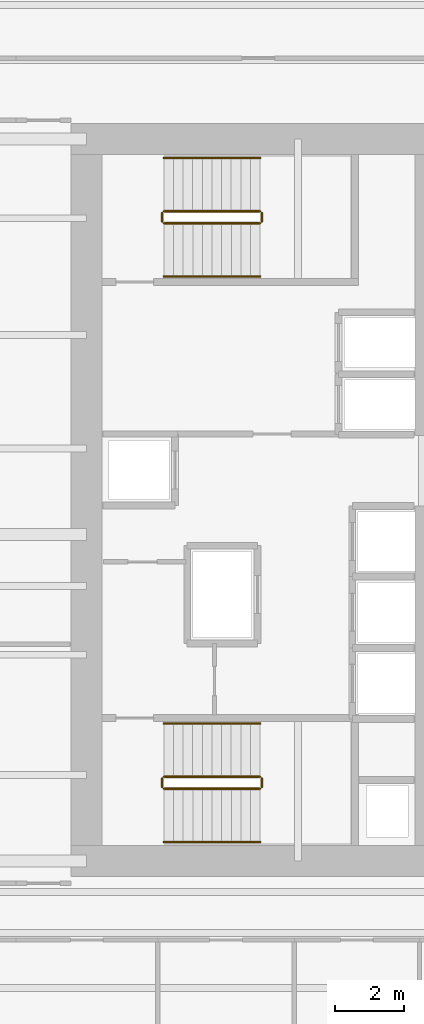
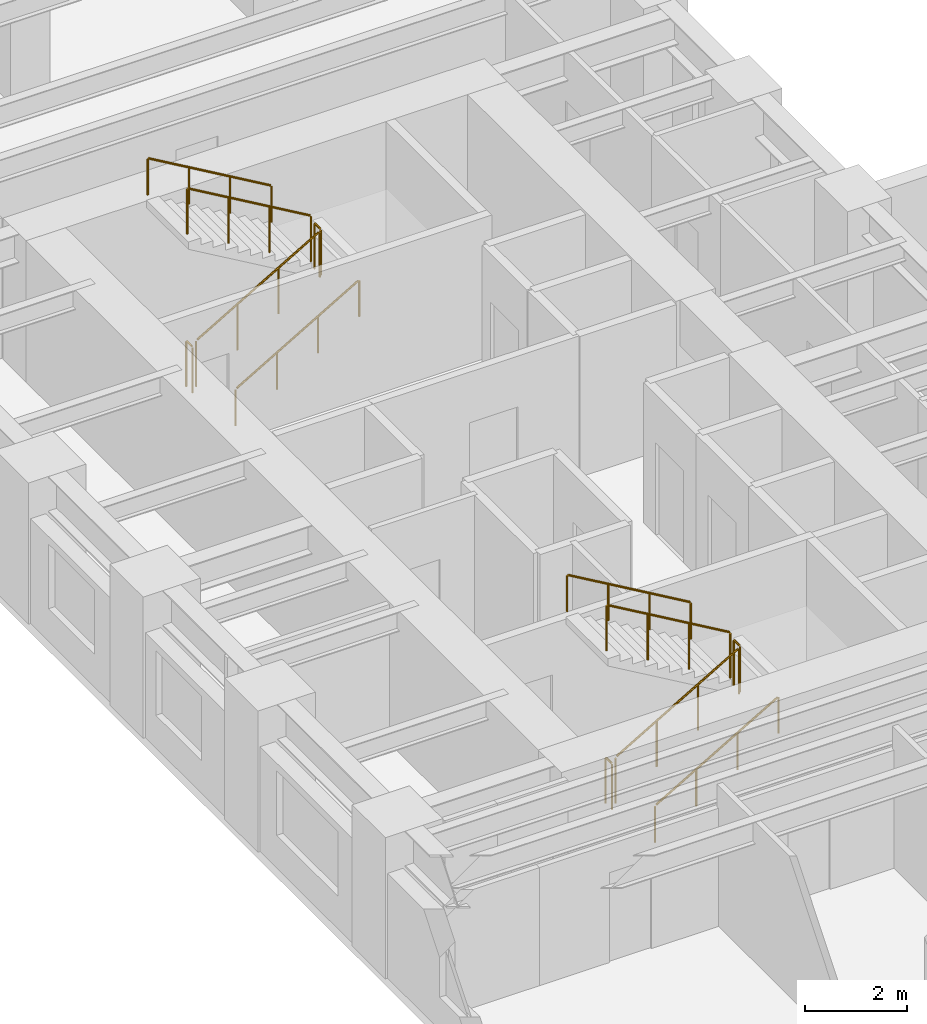
# One storey, part 13 of 14: 12 railings.
"""IFC4 building model written with IfcOpenShell, lengths in metres."""

import ifcopenshell
import ifcopenshell.guid

model = None  # the IFC model being written
_history = None  # IfcOwnerHistory: only IFC2X3 demands one
_inside = {}  # id of a spatial element -> (the spatial element, [elements in it])
_under = {}  # id of a project, library or spatial element -> (it, [spatial elements below it])
_declared = {}  # id of a project -> (the project, [libraries it declares])
_typed = {}  # id of a type object -> (the type object, [elements of that type])
_made_of = {}  # id of a material, layer set ... -> (it, [elements and type objects made of it])


def new_model(schema):
    """Start an empty IFC model of exactly this schema.

    Asked for "IFC4X3", IfcOpenShell would pick the latest addendum, in which some entities
    have other attributes; the version numbers below select the first issue.
    IFC2X3 requires an IfcOwnerHistory on every rooted entity: one is made here for all.
    """
    global model, _history
    if schema == "IFC4X3":
        model = ifcopenshell.file(schema_version=(4, 3, 0, 0))
    else:
        model = ifcopenshell.file(schema=schema)
    _inside.clear()
    _under.clear()
    _declared.clear()
    _typed.clear()
    _made_of.clear()
    _history = None
    if model.schema == "IFC2X3":
        org = make("IfcOrganization", Name="unknown")
        user = make(
            "IfcPersonAndOrganization",
            ThePerson=make("IfcPerson", FamilyName="unknown"),
            TheOrganization=org,
        )
        app = make(
            "IfcApplication",
            ApplicationDeveloper=org,
            Version="unknown",
            ApplicationFullName="unknown",
            ApplicationIdentifier="unknown",
        )
        _history = make(
            "IfcOwnerHistory",
            OwningUser=user,
            OwningApplication=app,
            ChangeAction="ADDED",
            CreationDate=0,
        )
    return model


def make(cls, **values):
    """One entity of the class cls with the attributes given. An attribute that is None is left unset."""
    return model.create_entity(
        cls, **{name: value for name, value in values.items() if value is not None}
    )


def rooted(cls, **values):
    """An entity with a GlobalId (a new one), such as an element, a storey or a relation."""
    return make(cls, GlobalId=ifcopenshell.guid.new(), OwnerHistory=_history, **values)


def si_unit(unit_type, name, prefix=None):
    """IfcSIUnit, for example si_unit("LENGTHUNIT", "METRE", prefix="MILLI")."""
    return make("IfcSIUnit", UnitType=unit_type, Prefix=prefix, Name=name)


def assignment(units):
    """IfcUnitAssignment: the units of a project."""
    return None if units is None else make("IfcUnitAssignment", Units=units)


def point(xyz):
    """IfcCartesianPoint."""
    return None if xyz is None else make("IfcCartesianPoint", Coordinates=xyz)


def direction(xyz):
    """IfcDirection."""
    return None if xyz is None else make("IfcDirection", DirectionRatios=xyz)


def frame(location, z_axis=None, x_axis=None):
    """IfcAxis2Placement3D, a coordinate frame: its origin and axes. An axis left out is left unset."""
    return make(
        "IfcAxis2Placement3D",
        Location=point(location),
        Axis=direction(z_axis),
        RefDirection=direction(x_axis),
    )


def frame_2d(location, x_axis=None):
    """IfcAxis2Placement2D, a coordinate frame in the plane: its origin and x axis."""
    return make(
        "IfcAxis2Placement2D", Location=point(location), RefDirection=direction(x_axis)
    )


def origin():
    """The frame at (0, 0, 0) with its axes left unset."""
    return frame((0.0, 0.0, 0.0))


def origin_2d():
    """The frame at (0, 0) in the plane with its x axis left unset."""
    return frame_2d((0.0, 0.0))


def place(relative_to, where):
    """IfcLocalPlacement: puts the frame where relative to a parent placement (None: the world)."""
    return make(
        "IfcLocalPlacement", PlacementRelTo=relative_to, RelativePlacement=where
    )


def context(
    kind, dimensions, precision=None, world=None, true_north=None, identifier=None
):
    """IfcGeometricRepresentationContext, for example the 3D "Model" context."""
    return make(
        "IfcGeometricRepresentationContext",
        ContextIdentifier=identifier,
        ContextType=kind,
        CoordinateSpaceDimension=dimensions,
        Precision=precision,
        WorldCoordinateSystem=world,
        TrueNorth=true_north,
    )


def subcontext(parent, identifier, kind, view, scale=None):
    """IfcGeometricRepresentationSubContext, for example "Body" below "Model"."""
    return make(
        "IfcGeometricRepresentationSubContext",
        ContextIdentifier=identifier,
        ContextType=kind,
        ParentContext=parent,
        TargetScale=scale,
        TargetView=view,
    )


def project(units=None, contexts=None):
    """IfcProject with its units and contexts."""
    return rooted(
        "IfcProject",
        Name="project",
        RepresentationContexts=contexts,
        UnitsInContext=assignment(units),
    )


def spatial(cls, under=None, at=None, **own):
    """A site, building, storey or space (cls), placed at a placement, below another one or the project."""
    s = rooted(cls, ObjectPlacement=at, **own)
    if under is not None:
        _under.setdefault(under.id(), (under, []))[1].append(s)
    return s


def profile(cls, at=None, kind="AREA", **sizes):
    """A parametric profile (cls). Its sizes go by their IFC names, for example OverallWidth=200.0."""
    return make(cls, ProfileType=kind, Position=at, **sizes)


def circle(**sizes):
    """IfcCircleProfileDef."""
    return profile("IfcCircleProfileDef", **sizes)


def extrude(swept, where, along, depth):
    """IfcExtrudedAreaSolid: the profile swept, set in the frame where, extruded along a direction by depth."""
    return make(
        "IfcExtrudedAreaSolid",
        SweptArea=swept,
        Position=where,
        ExtrudedDirection=direction(along),
        Depth=depth,
    )


def shape(context_of_items, identifier, shape_type, items):
    """IfcShapeRepresentation: the items that make up one representation, for example the "Body"."""
    return make(
        "IfcShapeRepresentation",
        ContextOfItems=context_of_items,
        RepresentationIdentifier=identifier,
        RepresentationType=shape_type,
        Items=items,
    )


def source(mapping_origin, context_of_items, identifier, shape_type, items):
    """IfcRepresentationMap: a shape defined once, which mapped items show again and again."""
    return make(
        "IfcRepresentationMap",
        MappingOrigin=mapping_origin,
        MappedRepresentation=shape(context_of_items, identifier, shape_type, items),
    )


def transform(
    local_origin,
    x_axis=None,
    y_axis=None,
    z_axis=None,
    scale=None,
    scale2=None,
    scale3=None,
    uniform=True,
):
    """IfcCartesianTransformationOperator3D, or its non-uniform kind. x_axis, y_axis, z_axis: its Axis1, 2, 3."""
    if uniform:
        return make(
            "IfcCartesianTransformationOperator3D",
            Axis1=direction(x_axis),
            Axis2=direction(y_axis),
            LocalOrigin=point(local_origin),
            Scale=scale,
            Axis3=direction(z_axis),
        )
    return make(
        "IfcCartesianTransformationOperator3DnonUniform",
        Axis1=direction(x_axis),
        Axis2=direction(y_axis),
        LocalOrigin=point(local_origin),
        Scale=scale,
        Axis3=direction(z_axis),
        Scale2=scale2,
        Scale3=scale3,
    )


def mapped(mapping_source, mapping_target):
    """IfcMappedItem: shows the shape of a source again, moved by a transform."""
    return make(
        "IfcMappedItem", MappingSource=mapping_source, MappingTarget=mapping_target
    )


def material(Name=None, Category=None):
    """IfcMaterial."""
    return make("IfcMaterial", Name=Name, Category=Category)


def layer(
    of_material, thickness, ventilated=None, Name=None, Category=None, Priority=None
):
    """IfcMaterialLayer: one layer of a wall or slab, of a material (None: an air gap)."""
    return make(
        "IfcMaterialLayer",
        Material=of_material,
        LayerThickness=thickness,
        IsVentilated=ventilated,
        Name=Name,
        Category=Category,
        Priority=Priority,
    )


def layer_set(layers, Name=None):
    """IfcMaterialLayerSet."""
    return make("IfcMaterialLayerSet", MaterialLayers=layers, LayerSetName=Name)


def made_of(thing, what):
    """Note that an element or type object is made of a material, layer set ...; save() writes the relation."""
    if what is not None:
        _made_of.setdefault(what.id(), (what, []))[1].append(thing)
    return thing


def type_object(cls, material=None, **own):
    """A type object (cls), such as IfcWallType, which elements share."""
    return made_of(rooted(cls, **own), material)


def element(
    cls,
    number,
    at=None,
    inside=None,
    cuts=None,
    type_object=None,
    material=None,
    context=None,
    identifier="Body",
    shape_type=None,
    held_by="IfcProductDefinitionShape",
    body=None,
    shapes=None,
    **own,
):
    """One element of the class cls, such as IfcWall. Its Tag is "e" and its number.

    at: its placement. inside: the storey or other place that contains it. cuts: it is an
    opening in that element (IfcRelVoidsElement). A single representation is given by context,
    identifier, shape_type and body (its items); several are given by shapes. held_by: the class
    of the entity that holds the representations. save() writes the other relations.
    """
    e = rooted(cls, Tag="e%d" % number, ObjectPlacement=at, **own)
    if body is not None:
        shapes = [shape(context, identifier, shape_type, body)]
    if shapes is not None:
        e.Representation = make(held_by, Representations=shapes)
    if inside is not None:
        _inside.setdefault(inside.id(), (inside, []))[1].append(e)
    if cuts is not None:
        rooted(
            "IfcRelVoidsElement", RelatingBuildingElement=cuts, RelatedOpeningElement=e
        )
    if type_object is not None:
        _typed.setdefault(type_object.id(), (type_object, []))[1].append(e)
    return made_of(e, material)


def aggregate(whole, parts):
    """IfcRelAggregates: a whole, such as a stair, and the parts it consists of."""
    return rooted("IfcRelAggregates", RelatingObject=whole, RelatedObjects=parts)


def save(model, path):
    """Write the relations noted so far, then the file.

    IfcRelAggregates (storeys below a building ...), IfcRelContainedInSpatialStructure (elements
    in a storey), IfcRelDefinesByType, IfcRelAssociatesMaterial and IfcRelDeclares: one each for
    every whole, place, type object, material and project.
    """
    for whole, parts in _under.values():
        aggregate(whole, parts)
    for where, things in _inside.values():
        rooted(
            "IfcRelContainedInSpatialStructure",
            RelatedElements=things,
            RelatingStructure=where,
        )
    for kind, things in _typed.values():
        rooted("IfcRelDefinesByType", RelatedObjects=things, RelatingType=kind)
    for what, things in _made_of.values():
        rooted("IfcRelAssociatesMaterial", RelatedObjects=things, RelatingMaterial=what)
    for by, libraries in _declared.values():
        rooted("IfcRelDeclares", RelatingContext=by, RelatedDefinitions=libraries)
    model.write(path)


model = new_model("IFC4")

# Units and contexts
model_context = context("Model", 3, precision=1e-05, world=origin(), true_north=direction((0.0, 1.0)))
body_context = subcontext(model_context, "Body", "Model", "MODEL_VIEW")
ifc_project = project(units=[si_unit("LENGTHUNIT", "METRE"), si_unit("AREAUNIT", "SQUARE_METRE"), si_unit("VOLUMEUNIT", "CUBIC_METRE"), si_unit("PLANEANGLEUNIT", "RADIAN"), si_unit("MASSUNIT", "GRAM", prefix="KILO")], contexts=[model_context])

# Site, building, storey
site_placement = place(None, origin())
site = spatial("IfcSite", under=ifc_project, at=site_placement, CompositionType="ELEMENT")
building_placement = place(site_placement, origin())
building = spatial("IfcBuilding", under=site, at=building_placement, Name="Kharzan Plaza Tower", CompositionType="ELEMENT")
storey_placement = place(building_placement, frame((0.0, 0.0, 29.699951171875)))
storey = spatial("IfcBuildingStorey", under=building, at=storey_placement, Name="L07", CompositionType="ELEMENT", Elevation=29.699951171875)

# Railings
ifc_material_1 = material(Name="Painted Galvanized Architectural Steel", Category="steel")
ifc_layer_1 = layer(ifc_material_1, 0.074951171875)
ifc_layer_set_1 = layer_set([ifc_layer_1], Name="Painted Galvanized Architectural Steel")
railing_type_1 = type_object("IfcRailingType", Name="RL-GUARD-1120", PredefinedType="BALUSTRADE", material=ifc_layer_set_1)
shared_shape_1 = source(origin(), body_context, "Body", "SweptSolid", [
    extrude(circle(Radius=0.02392578125, at=origin_2d()), frame((0.0, 0.0263671875, 1.09619140625), z_axis=(0.0, 1.0, 0.0), x_axis=(-1.0, 0.0, 0.0)), (0.0, 0.0, 1.0), 0.197021484375),
    extrude(circle(Radius=0.02099609375, at=origin_2d()), origin(), (0.0, 0.0, 1.0), 1.072021484375),
    extrude(circle(Radius=0.02099609375, at=origin_2d()), frame((0.0, 0.25, 0.0)), (0.0, 0.0, 1.0), 1.072021484375),
])
for number, where, name in (
    (1, (9.60009765625, 10.64990234375, 1.800048828125), "L07 ST-1 stair guard 2"),
    (2, (6.699951171875, 10.64990234375, 0.0), "L07 ST-1 stair guard 4"),
    (3, (9.60009765625, 27.10009765625, 1.800048828125), "L07 ST-2 stair guard 2"),
    (4, (6.699951171875, 27.10009765625, 0.0), "L07 ST-2 stair guard 4"),
):
    element("IfcRailing", number, at=place(storey_placement, frame(where)), inside=storey, type_object=railing_type_1, Name=name, PredefinedType="BALUSTRADE", context=body_context, shape_type="MappedRepresentation", body=[
        mapped(shared_shape_1, transform((0.0, 0.0, 0.0), x_axis=(1.0, 0.0, 0.0), y_axis=(0.0, 1.0, 0.0), z_axis=(0.0, 0.0, 1.0))),
    ])
shared_shape_2 = source(origin(), body_context, "Body", "SweptSolid", [
    extrude(circle(Radius=0.02392578125, at=origin_2d()), frame((0.02294921875, 0.0, 1.109375), z_axis=(0.863360870873, 0.0, 0.504586966384), x_axis=(0.0, 1.0, 0.0)), (0.0, 0.0, 1.0), 3.190185546875),
    extrude(circle(Radius=0.02099609375, at=origin_2d()), origin(), (0.0, 0.0, 1.0), 1.072021484375),
    extrude(circle(Radius=0.02099609375, at=origin_2d()), frame((0.933349609375, 0.0, 0.54541015625)), (0.0, 0.0, 1.0), 1.072021484375),
    extrude(circle(Radius=0.02099609375, at=origin_2d()), frame((1.86669921875, 0.0, 1.091064453125)), (0.0, 0.0, 1.0), 1.072021484375),
    extrude(circle(Radius=0.02099609375, at=origin_2d()), frame((2.800048828125, 0.0, 1.636474609375)), (0.0, 0.0, 1.0), 1.072021484375),
])
for number, where, name in (
    (5, (6.75, 10.60009765625, 0.16357421875), "L07 ST-1 stair guard 1"),
    (6, (6.75, 27.050048828125, 0.16357421875), "L07 ST-2 stair guard 1"),
):
    element("IfcRailing", number, at=place(storey_placement, frame(where)), inside=storey, type_object=railing_type_1, Name=name, PredefinedType="BALUSTRADE", context=body_context, shape_type="MappedRepresentation", body=[
        mapped(shared_shape_2, transform((0.0, 0.0, 0.0), x_axis=(1.0, 0.0, 0.0), y_axis=(0.0, 1.0, 0.0), z_axis=(0.0, 0.0, 1.0))),
    ])
shared_shape_3 = source(origin(), body_context, "Body", "SweptSolid", [
    extrude(circle(Radius=0.02392578125, at=origin_2d()), frame((-0.02294921875, 0.0, 1.109375), z_axis=(-0.863360870873, 0.0, 0.504586966384), x_axis=(0.0, -1.0, 0.0)), (0.0, 0.0, 1.0), 3.190185546875),
    extrude(circle(Radius=0.02099609375, at=origin_2d()), origin(), (0.0, 0.0, 1.0), 1.072021484375),
    extrude(circle(Radius=0.02099609375, at=origin_2d()), frame((-0.933349609375, 0.0, 0.54541015625)), (0.0, 0.0, 1.0), 1.072021484375),
    extrude(circle(Radius=0.02099609375, at=origin_2d()), frame((-1.86669921875, 0.0, 1.091064453125)), (0.0, 0.0, 1.0), 1.072021484375),
    extrude(circle(Radius=0.02099609375, at=origin_2d()), frame((-2.800048828125, 0.0, 1.636474609375)), (0.0, 0.0, 1.0), 1.072021484375),
])
for number, where, name in (
    (7, (9.550048828125, 10.949951171875, 1.963623046875), "L07 ST-1 stair guard 3"),
    (8, (9.550048828125, 27.39990234375, 1.963623046875), "L07 ST-2 stair guard 3"),
):
    element("IfcRailing", number, at=place(storey_placement, frame(where)), inside=storey, type_object=railing_type_1, Name=name, PredefinedType="BALUSTRADE", context=body_context, shape_type="MappedRepresentation", body=[
        mapped(shared_shape_3, transform((0.0, 0.0, 0.0), x_axis=(1.0, 0.0, 0.0), y_axis=(0.0, 1.0, 0.0), z_axis=(0.0, 0.0, 1.0))),
    ])
ifc_material_2 = material(Name="Brushed Stainless Steel", Category="steel")
ifc_layer_2 = layer(ifc_material_2, 0.050048828125)
ifc_layer_set_2 = layer_set([ifc_layer_2], Name="Brushed Stainless Steel")
railing_type_2 = type_object("IfcRailingType", Name="RL-STAIR-HR920", PredefinedType="HANDRAIL", material=ifc_layer_set_2)
shared_shape_4 = source(origin(), body_context, "Body", "SweptSolid", [
    extrude(circle(Radius=0.02392578125, at=origin_2d()), frame((0.02294921875, 0.0, 0.88916015625), z_axis=(0.863360870873, 0.0, 0.504586966384), x_axis=(0.0, 1.0, 0.0)), (0.0, 0.0, 1.0), 3.190185546875),
    extrude(circle(Radius=0.02099609375, at=origin_2d()), origin(), (0.0, 0.0, 1.0), 0.851806640625),
    extrude(circle(Radius=0.02099609375, at=origin_2d()), frame((0.933349609375, 0.0, 0.54541015625)), (0.0, 0.0, 1.0), 0.851806640625),
    extrude(circle(Radius=0.02099609375, at=origin_2d()), frame((1.86669921875, 0.0, 1.091064453125)), (0.0, 0.0, 1.0), 0.851806640625),
    extrude(circle(Radius=0.02099609375, at=origin_2d()), frame((2.800048828125, 0.0, 1.636474609375)), (0.0, 0.0, 1.0), 0.851806640625),
])
for number, where, name in (
    (9, (6.75, 9.050048828125, 0.16357421875), "L07 ST-1 stair handrail 1"),
    (10, (6.75, 25.5, 0.16357421875), "L07 ST-2 stair handrail 1"),
):
    element("IfcRailing", number, at=place(storey_placement, frame(where)), inside=storey, type_object=railing_type_2, Name=name, PredefinedType="HANDRAIL", context=body_context, shape_type="MappedRepresentation", body=[
        mapped(shared_shape_4, transform((0.0, 0.0, 0.0), x_axis=(1.0, 0.0, 0.0), y_axis=(0.0, 1.0, 0.0), z_axis=(0.0, 0.0, 1.0))),
    ])
shared_shape_5 = source(origin(), body_context, "Body", "SweptSolid", [
    extrude(circle(Radius=0.02392578125, at=origin_2d()), frame((-0.02294921875, 0.0, 0.88916015625), z_axis=(-0.863360870873, 0.0, 0.504586966384), x_axis=(0.0, -1.0, 0.0)), (0.0, 0.0, 1.0), 3.190185546875),
    extrude(circle(Radius=0.02099609375, at=origin_2d()), origin(), (0.0, 0.0, 1.0), 0.851806640625),
    extrude(circle(Radius=0.02099609375, at=origin_2d()), frame((-0.933349609375, 0.0, 0.54541015625)), (0.0, 0.0, 1.0), 0.851806640625),
    extrude(circle(Radius=0.02099609375, at=origin_2d()), frame((-1.86669921875, 0.0, 1.091064453125)), (0.0, 0.0, 1.0), 0.851806640625),
    extrude(circle(Radius=0.02099609375, at=origin_2d()), frame((-2.800048828125, 0.0, 1.636474609375)), (0.0, 0.0, 1.0), 0.851806640625),
])
for number, where, name in (
    (11, (9.550048828125, 12.5, 1.963623046875), "L07 ST-1 stair handrail 2"),
    (12, (9.550048828125, 28.949951171875, 1.963623046875), "L07 ST-2 stair handrail 2"),
):
    element("IfcRailing", number, at=place(storey_placement, frame(where)), inside=storey, type_object=railing_type_2, Name=name, PredefinedType="HANDRAIL", context=body_context, shape_type="MappedRepresentation", body=[
        mapped(shared_shape_5, transform((0.0, 0.0, 0.0), x_axis=(1.0, 0.0, 0.0), y_axis=(0.0, 1.0, 0.0), z_axis=(0.0, 0.0, 1.0))),
    ])

save(model, "model.ifc")
